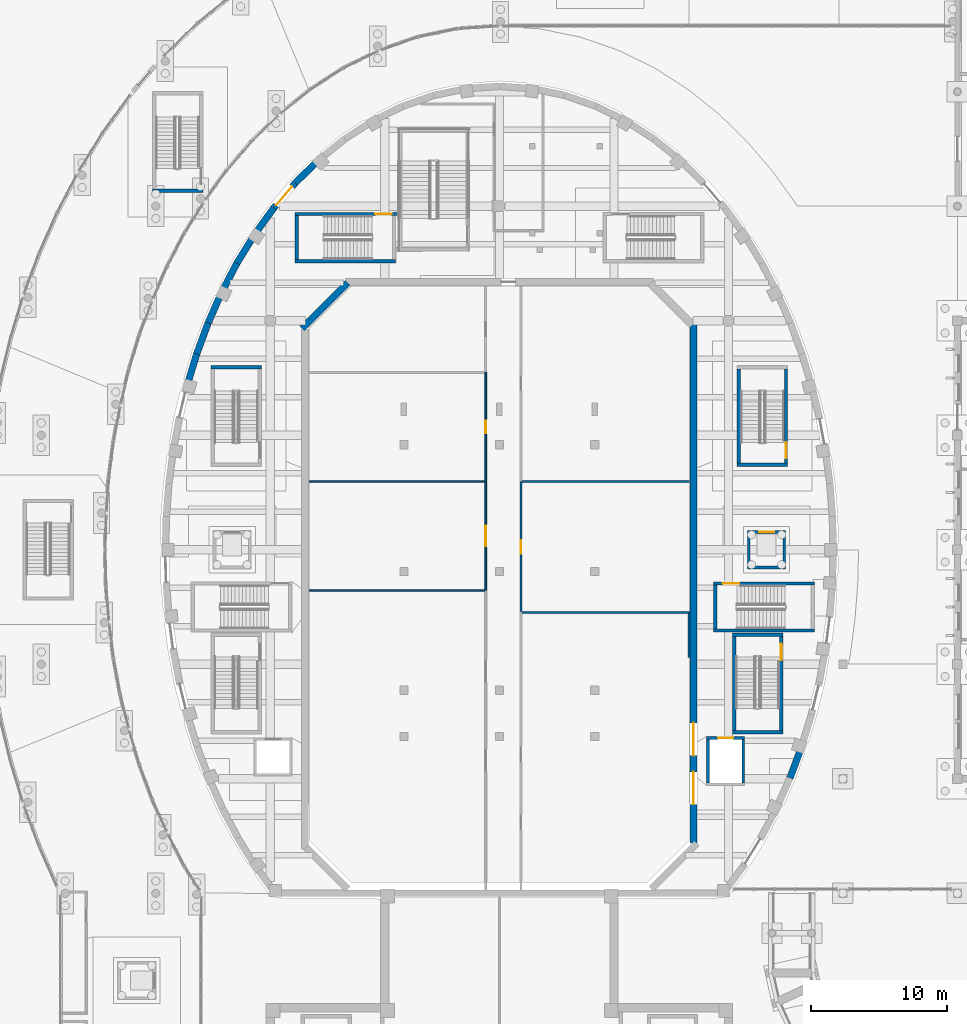
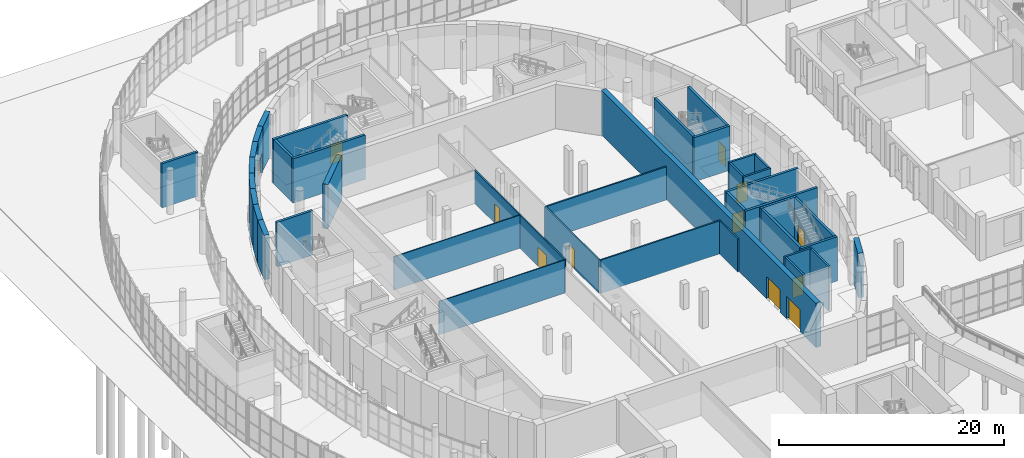
# One storey, part 63 of 110: 41 walls, 12 doors, 12 openings.
"""IFC4 building model written with IfcOpenShell, lengths in metres."""

from ifc_helpers import new_model, si_unit, direction, frame, frame_2d, origin, place, context, subcontext, project, spatial, rectangle, extrude, material, layer, layer_set, type_object, element, fill, save


model = new_model("IFC4")

# Units and contexts
model_context = context("Model", 3, precision=1e-05, world=origin(), true_north=direction((0.0, 1.0)))
body_context = subcontext(model_context, "Body", "Model", "MODEL_VIEW")
ifc_project = project(units=[si_unit("LENGTHUNIT", "METRE"), si_unit("AREAUNIT", "SQUARE_METRE"), si_unit("VOLUMEUNIT", "CUBIC_METRE"), si_unit("PLANEANGLEUNIT", "RADIAN"), si_unit("MASSUNIT", "GRAM", prefix="KILO")], contexts=[model_context])

# Site, building, storey
site_placement = place(None, origin())
site = spatial("IfcSite", under=ifc_project, at=site_placement, CompositionType="ELEMENT")
building_placement = place(site_placement, origin())
building = spatial("IfcBuilding", under=site, at=building_placement, Name="Larchfold Concert Hall", CompositionType="ELEMENT")
storey_placement = place(building_placement, origin())
storey = spatial("IfcBuildingStorey", under=building, at=storey_placement, Name="L00", CompositionType="ELEMENT", Elevation=0.0)

# Wall, opening, door
ifc_material_1 = material(Name="Plasterboard partition on steel studs", Category="steel")
ifc_layer_1 = layer(ifc_material_1, 0.125)
ifc_layer_set_1 = layer_set([ifc_layer_1], Name="Plasterboard partition on steel studs")
wall_type_1 = type_object("IfcWallType", Name="Corridor partition 125 EI 60", PredefinedType="PARTITIONING", material=ifc_layer_set_1)
wall_1_placement = place(storey_placement, frame((41.60009765625, 81.6201171875, 0.0), z_axis=(0.0, 0.0, 1.0), x_axis=(0.0, 1.0, 0.0)))
wall_1 = element("IfcWall", 1, at=wall_1_placement, inside=storey, type_object=wall_type_1, Name="Partition IW0006", PredefinedType="PARTITIONING", context=body_context, shape_type="SweptSolid", body=[
    extrude(rectangle(XDim=8.0, YDim=0.125, at=frame_2d((4.0, 0.0))), origin(), (0.0, 0.0, 1.0), 3.60009765625),
])
opening_1_placement = place(wall_1_placement, frame((3.22998046875, 0.0, 0.0)))
opening_1 = element("IfcOpeningElement", 2, at=opening_1_placement, cuts=wall_1, Name="Opening D-L00-106", PredefinedType="OPENING", context=body_context, shape_type="SweptSolid", body=[
    extrude(rectangle(XDim=1.5, YDim=2.10009765625, at=frame_2d((0.75, 1.050048828125))), frame((0.0, 0.072509765625, 0.0), z_axis=(0.0, -1.0, 0.0), x_axis=(1.0, 0.0, 0.0)), (0.0, 0.0, 1.0), 0.14501953125),
])
ifc_material_2 = material(Name="Timber door leaf", Category="wood")
door_type_1 = type_object("IfcDoorType", Name="Cafe, shop and cloakroom door pair 1500 x 2100 FD30S", OperationType="SINGLE_SWING_LEFT", PredefinedType="DOOR", material=ifc_material_2)
door_1_placement = place(opening_1_placement, origin())
door_1 = element("IfcDoor", 3, at=door_1_placement, inside=storey, type_object=door_type_1, Name="Door D-L00-106", OperationType="DOUBLE_DOOR_SINGLE_SWING", OverallHeight=2.10009765625, OverallWidth=1.5, PredefinedType="DOOR", context=body_context, shape_type="SweptSolid", body=[
    extrude(rectangle(XDim=1.5, YDim=2.10009765625, at=frame_2d((0.75, 1.050048828125))), frame((0.0, 0.02490234375, 0.0), z_axis=(0.0, -1.0, 0.0), x_axis=(1.0, 0.0, 0.0)), (0.0, 0.0, 1.0), 0.050048828125),
])
fill(opening_1, door_1)

wall_2_placement = place(storey_placement, frame((41.60009765625, 89.6201171875, 0.0), z_axis=(0.0, 0.0, 1.0), x_axis=(0.0, 1.0, 0.0)))
wall_2 = element("IfcWall", 4, at=wall_2_placement, inside=storey, type_object=wall_type_1, Name="Partition IW0007", PredefinedType="PARTITIONING", context=body_context, shape_type="SweptSolid", body=[
    extrude(rectangle(XDim=8.0, YDim=0.125, at=frame_2d((4.0, 0.0))), origin(), (0.0, 0.0, 1.0), 3.60009765625),
])
opening_2_placement = place(wall_2_placement, frame((3.530029296875, 0.0, 0.0)))
opening_2 = element("IfcOpeningElement", 5, at=opening_2_placement, cuts=wall_2, Name="Opening D-L00-107", PredefinedType="OPENING", context=body_context, shape_type="SweptSolid", body=[
    extrude(rectangle(XDim=0.89990234375, YDim=2.10009765625, at=frame_2d((0.449951171875, 1.050048828125))), frame((0.0, 0.072509765625, 0.0), z_axis=(0.0, -1.0, 0.0), x_axis=(1.0, 0.0, 0.0)), (0.0, 0.0, 1.0), 0.14501953125),
])
ifc_material_3 = material(Name="Timber door leaf", Category="wood")
door_type_2 = type_object("IfcDoorType", Name="Public toilet door 900 x 2100 FD30S", OperationType="SINGLE_SWING_LEFT", PredefinedType="DOOR", material=ifc_material_3)
door_2_placement = place(opening_2_placement, origin())
door_2 = element("IfcDoor", 6, at=door_2_placement, inside=storey, type_object=door_type_2, Name="Door D-L00-107", OperationType="SINGLE_SWING_RIGHT", OverallHeight=2.10009765625, OverallWidth=0.89990234375, PredefinedType="DOOR", context=body_context, shape_type="SweptSolid", body=[
    extrude(rectangle(XDim=0.89990234375, YDim=2.10009765625, at=frame_2d((0.449951171875, 1.050048828125))), frame((0.0, 0.02490234375, 0.0), z_axis=(0.0, -1.0, 0.0), x_axis=(1.0, 0.0, 0.0)), (0.0, 0.0, 1.0), 0.050048828125),
])
fill(opening_2, door_2)

# Walls
ifc_material_4 = material(Name="Plasterboard partition on steel studs", Category="steel")
ifc_layer_2 = layer(ifc_material_4, 0.14990234375)
ifc_layer_set_2 = layer_set([ifc_layer_2], Name="Plasterboard partition on steel studs")
wall_type_2 = type_object("IfcWallType", Name="Shaft and plant partition 150 EI 120", PredefinedType="PARTITIONING", material=ifc_layer_set_2)
wall_3_placement = place(storey_placement, frame((44.27490234375, 80.0, 0.0), z_axis=(0.0, 0.0, 1.0), x_axis=(1.0, 0.0, 0.0)))
element("IfcWall", 7, at=wall_3_placement, inside=storey, type_object=wall_type_2, Name="Partition IW0002", PredefinedType="PARTITIONING", context=body_context, shape_type="SweptSolid", body=[
    extrude(rectangle(XDim=12.300048828125, YDim=0.14990234375, at=frame_2d((6.14990234375, 0.0))), origin(), (0.0, 0.0, 1.0), 3.60009765625),
])
wall_4_placement = place(storey_placement, frame((56.5, 79.925048828125, 0.0), z_axis=(0.0, 0.0, 1.0), x_axis=(0.0, -1.0, 0.0)))
element("IfcWall", 8, at=wall_4_placement, inside=storey, type_object=wall_type_2, Name="Partition IW0003", PredefinedType="PARTITIONING", context=body_context, shape_type="SweptSolid", body=[
    extrude(rectangle(XDim=3.240966796875, YDim=0.14990234375, at=frame_2d((1.62060546875, 0.0))), origin(), (0.0, 0.0, 1.0), 3.60009765625),
])

# Wall, opening, door
wall_5_placement = place(storey_placement, frame((44.199951171875, 89.6201171875, 0.0), z_axis=(0.0, 0.0, 1.0), x_axis=(0.0, -1.0, 0.0)))
wall_5 = element("IfcWall", 9, at=wall_5_placement, inside=storey, type_object=wall_type_2, Name="Partition IW0005", PredefinedType="PARTITIONING", context=body_context, shape_type="SweptSolid", body=[
    extrude(rectangle(XDim=9.545166015625, YDim=0.14990234375, at=frame_2d((4.7724609375, 0.0))), origin(), (0.0, 0.0, 1.0), 3.60009765625),
])
opening_3_placement = place(wall_5_placement, frame((4.31005859375, 0.0, 0.0)))
opening_3 = element("IfcOpeningElement", 10, at=opening_3_placement, cuts=wall_5, Name="Opening D-L00-105", PredefinedType="OPENING", context=body_context, shape_type="SweptSolid", body=[
    extrude(rectangle(XDim=1.0, YDim=2.10009765625, at=frame_2d((0.5, 1.050048828125))), frame((0.0, 0.0849609375, 0.0), z_axis=(0.0, -1.0, 0.0), x_axis=(1.0, 0.0, 0.0)), (0.0, 0.0, 1.0), 0.169921875),
])
ifc_material_5 = material(Name="Timber door leaf", Category="wood")
door_type_3 = type_object("IfcDoorType", Name="Store door 1000 x 2100 FD60", OperationType="SINGLE_SWING_LEFT", PredefinedType="DOOR", material=ifc_material_5)
door_3_placement = place(opening_3_placement, origin())
door_3 = element("IfcDoor", 11, at=door_3_placement, inside=storey, type_object=door_type_3, Name="Door D-L00-105", OperationType="SINGLE_SWING_RIGHT", OverallHeight=2.10009765625, OverallWidth=1.0, PredefinedType="DOOR", context=body_context, shape_type="SweptSolid", body=[
    extrude(rectangle(XDim=1.0, YDim=2.10009765625, at=frame_2d((0.5, 1.050048828125))), frame((0.0, 0.02490234375, 0.0), z_axis=(0.0, -1.0, 0.0), x_axis=(1.0, 0.0, 0.0)), (0.0, 0.0, 1.0), 0.050048828125),
])
fill(opening_3, door_3)

# Walls
wall_6_placement = place(storey_placement, frame((44.27490234375, 89.60009765625, 0.0), z_axis=(0.0, 0.0, 1.0), x_axis=(1.0, 0.0, 0.0)))
element("IfcWall", 12, at=wall_6_placement, inside=storey, type_object=wall_type_2, Name="Partition IW0011", PredefinedType="PARTITIONING", context=body_context, shape_type="SweptSolid", body=[
    extrude(rectangle(XDim=12.275146484375, YDim=0.14990234375, at=frame_2d((6.1376953125, 0.0))), origin(), (0.0, 0.0, 1.0), 3.60009765625),
])
ifc_material_6 = material(Name="Plasterboard partition on steel studs", Category="steel")
ifc_layer_3 = layer(ifc_material_6, 0.10009765625)
ifc_layer_set_3 = layer_set([ifc_layer_3], Name="Plasterboard partition on steel studs")
wall_type_3 = type_object("IfcWallType", Name="Stud partition 100", PredefinedType="PARTITIONING", material=ifc_layer_set_3)
for number, where, z_axis, x_axis, name in (
    (13, (28.64990234375, 81.60302734375, 0.0), (0.0, 0.0, 1.0), (0.999999974151, -0.000227371766, 0.0), "Partition IW0010"),
    (14, (28.64990234375, 89.60009765625, 0.0), (0.0, 0.0, 1.0), (1.0, 0.0, 0.0), "Partition IW0012"),
):
    element("IfcWall", number, at=place(storey_placement, frame(where, z_axis=z_axis, x_axis=x_axis)), inside=storey, type_object=wall_type_3, Name=name, PredefinedType="PARTITIONING", context=body_context, shape_type="SweptSolid", body=[
        extrude(rectangle(XDim=12.885009765625, YDim=0.10009765625, at=frame_2d((6.4423828125, 0.0))), origin(), (0.0, 0.0, 1.0), 3.60009765625),
    ])

# Wall, opening, door
ifc_material_7 = material(Name="Concrete C40/50", Category="concrete")
ifc_layer_4 = layer(ifc_material_7, 0.199951171875)
ifc_layer_set_4 = layer_set([ifc_layer_4], Name="Concrete C40/50")
wall_type_4 = type_object("IfcWallType", Name="Wall RC 200 lift shaft", PredefinedType="SOLIDWALL", material=ifc_layer_set_4)
wall_7_placement = place(storey_placement, frame((57.800048828125, 70.7998046875, 0.0), z_axis=(0.0, 0.0, 1.0), x_axis=(1.0, 0.0, 0.0)))
wall_7 = element("IfcWall", 15, at=wall_7_placement, inside=storey, type_object=wall_type_4, Name="Wall W0142", PredefinedType="SOLIDWALL", context=body_context, shape_type="SweptSolid", body=[
    extrude(rectangle(XDim=2.800048828125, YDim=0.199951171875, at=frame_2d((1.39990234375, 0.0))), origin(), (0.0, 0.0, 1.0), 4.800048828125),
])
opening_4_placement = place(wall_7_placement, frame((0.85009765625, 0.0, 0.0)))
opening_4 = element("IfcOpeningElement", 16, at=opening_4_placement, cuts=wall_7, Name="Opening LD-LF01", PredefinedType="OPENING", context=body_context, shape_type="SweptSolid", body=[
    extrude(rectangle(XDim=1.10009765625, YDim=2.10009765625, at=frame_2d((0.550048828125, 1.050048828125))), frame((0.0, 0.10986328125, 0.0), z_axis=(0.0, -1.0, 0.0), x_axis=(1.0, 0.0, 0.0)), (0.0, 0.0, 1.0), 0.219970703125),
])
ifc_material_8 = material(Name="Stainless steel sliding leaves", Category="steel")
door_type_4 = type_object("IfcDoorType", Name="Lift landing door sliding 1100 x 2100", OperationType="SLIDING_TO_LEFT", PredefinedType="DOOR", material=ifc_material_8)
door_4_placement = place(opening_4_placement, origin())
door_4 = element("IfcDoor", 17, at=door_4_placement, inside=storey, type_object=door_type_4, Name="Lift landing door LF01", OperationType="SLIDING_TO_LEFT", OverallHeight=2.10009765625, OverallWidth=1.10009765625, PredefinedType="DOOR", context=body_context, shape_type="SweptSolid", body=[
    extrude(rectangle(XDim=1.10009765625, YDim=2.10009765625, at=frame_2d((0.550048828125, 1.050048828125))), frame((0.0, 0.02490234375, 0.0), z_axis=(0.0, -1.0, 0.0), x_axis=(1.0, 0.0, 0.0)), (0.0, 0.0, 1.0), 0.050048828125),
])
fill(opening_4, door_4)

# Walls
for number, where, z_axis, x_axis, name in (
    (18, (57.900146484375, 67.5, 0.0), (0.0, 0.0, 1.0), (0.0, 1.0, 0.0), "Wall W0143"),
    (19, (60.5, 67.5, 0.0), (0.0, 0.0, 1.0), (0.0, 1.0, 0.0), "Wall W0144"),
):
    element("IfcWall", number, at=place(storey_placement, frame(where, z_axis=z_axis, x_axis=x_axis)), inside=storey, type_object=wall_type_4, Name=name, PredefinedType="SOLIDWALL", context=body_context, shape_type="SweptSolid", body=[
        extrude(rectangle(XDim=3.199951171875, YDim=0.199951171875, at=frame_2d((1.60009765625, 0.0))), origin(), (0.0, 0.0, 1.0), 4.800048828125),
    ])
wall_8_placement = place(storey_placement, frame((60.800048828125, 83.300048828125, -1.39990234375), z_axis=(0.0, 0.0, 1.0), x_axis=(1.0, 0.0, 0.0)))
element("IfcWall", 20, at=wall_8_placement, inside=storey, type_object=wall_type_4, Name="Wall W0149", PredefinedType="SOLIDWALL", context=body_context, shape_type="SweptSolid", body=[
    extrude(rectangle(XDim=2.800048828125, YDim=0.199951171875, at=frame_2d((1.39990234375, 0.0))), origin(), (0.0, 0.0, 1.0), 6.199951171875),
])

# Wall, opening, door
wall_9_placement = place(storey_placement, frame((60.800048828125, 85.89990234375, -1.39990234375), z_axis=(0.0, 0.0, 1.0), x_axis=(1.0, 0.0, 0.0)))
wall_9 = element("IfcWall", 21, at=wall_9_placement, inside=storey, type_object=wall_type_4, Name="Wall W0150", PredefinedType="SOLIDWALL", context=body_context, shape_type="SweptSolid", body=[
    extrude(rectangle(XDim=2.800048828125, YDim=0.199951171875, at=frame_2d((1.39990234375, 0.0))), origin(), (0.0, 0.0, 1.0), 6.199951171875),
])
opening_5_placement = place(wall_9_placement, frame((0.85009765625, 0.0, 1.39990234375)))
opening_5 = element("IfcOpeningElement", 22, at=opening_5_placement, cuts=wall_9, Name="Opening LD-LF03", PredefinedType="OPENING", context=body_context, shape_type="SweptSolid", body=[
    extrude(rectangle(XDim=1.10009765625, YDim=2.10009765625, at=frame_2d((0.550048828125, 1.050048828125))), frame((0.0, 0.10986328125, 0.0), z_axis=(0.0, -1.0, 0.0), x_axis=(1.0, 0.0, 0.0)), (0.0, 0.0, 1.0), 0.219970703125),
])
door_5_placement = place(opening_5_placement, origin())
door_5 = element("IfcDoor", 23, at=door_5_placement, inside=storey, type_object=door_type_4, Name="Lift landing door LF03", OperationType="SLIDING_TO_LEFT", OverallHeight=2.10009765625, OverallWidth=1.10009765625, PredefinedType="DOOR", context=body_context, shape_type="SweptSolid", body=[
    extrude(rectangle(XDim=1.10009765625, YDim=2.10009765625, at=frame_2d((0.550048828125, 1.050048828125))), frame((0.0, 0.02490234375, 0.0), z_axis=(0.0, -1.0, 0.0), x_axis=(1.0, 0.0, 0.0)), (0.0, 0.0, 1.0), 0.050048828125),
])
fill(opening_5, door_5)

# Walls
for number, where, z_axis, x_axis, name in (
    (24, (60.900146484375, 83.39990234375, -1.39990234375), (0.0, 0.0, 1.0), (0.0, 1.0, 0.0), "Wall W0151"),
    (25, (63.5, 83.39990234375, -1.39990234375), (0.0, 0.0, 1.0), (0.0, 1.0, 0.0), "Wall W0152"),
):
    element("IfcWall", number, at=place(storey_placement, frame(where, z_axis=z_axis, x_axis=x_axis)), inside=storey, type_object=wall_type_4, Name=name, PredefinedType="SOLIDWALL", context=body_context, shape_type="SweptSolid", body=[
        extrude(rectangle(XDim=2.400146484375, YDim=0.199951171875, at=frame_2d((1.2001953125, 0.0))), origin(), (0.0, 0.0, 1.0), 6.199951171875),
    ])
ifc_material_9 = material(Name="Concrete C40/50", Category="concrete")
ifc_layer_5 = layer(ifc_material_9, 0.25)
ifc_layer_set_5 = layer_set([ifc_layer_5], Name="Concrete C40/50")
wall_type_5 = type_object("IfcWallType", Name="Wall RC 250 stair core", PredefinedType="SOLIDWALL", material=ifc_layer_set_5)
wall_10_placement = place(storey_placement, frame((60.050048828125, 90.824951171875, 0.0), z_axis=(0.0, 0.0, 1.0), x_axis=(1.0, 0.0, 0.0)))
element("IfcWall", 26, at=wall_10_placement, inside=storey, type_object=wall_type_5, Name="Wall W0033", PredefinedType="SOLIDWALL", context=body_context, shape_type="SweptSolid", body=[
    extrude(rectangle(XDim=3.699951171875, YDim=0.25, at=frame_2d((1.85009765625, 0.0))), origin(), (0.0, 0.0, 1.0), 4.800048828125),
])
wall_11_placement = place(storey_placement, frame((60.175048828125, 90.949951171875, 0.0), z_axis=(0.0, 0.0, 1.0), x_axis=(0.0, 1.0, 0.0)))
element("IfcWall", 27, at=wall_11_placement, inside=storey, type_object=wall_type_5, Name="Wall W0035", PredefinedType="SOLIDWALL", context=body_context, shape_type="SweptSolid", body=[
    extrude(rectangle(XDim=6.900146484375, YDim=0.25, at=frame_2d((3.4501953125, 0.0))), origin(), (0.0, 0.0, 1.0), 4.800048828125),
])

# Wall, opening, door
wall_12_placement = place(storey_placement, frame((63.625, 90.949951171875, 0.0), z_axis=(0.0, 0.0, 1.0), x_axis=(0.0, 1.0, 0.0)))
wall_12 = element("IfcWall", 28, at=wall_12_placement, inside=storey, type_object=wall_type_5, Name="Wall W0036", PredefinedType="SOLIDWALL", context=body_context, shape_type="SweptSolid", body=[
    extrude(rectangle(XDim=6.900146484375, YDim=0.25, at=frame_2d((3.4501953125, 0.0))), origin(), (0.0, 0.0, 1.0), 4.800048828125),
])
opening_6_placement = place(wall_12_placement, frame((0.35009765625, 0.0, 0.0)))
opening_6 = element("IfcOpeningElement", 29, at=opening_6_placement, cuts=wall_12, Name="Opening D-L00-158", PredefinedType="OPENING", context=body_context, shape_type="SweptSolid", body=[
    extrude(rectangle(XDim=1.199951171875, YDim=2.10009765625, at=frame_2d((0.60009765625, 1.050048828125))), frame((0.0, 0.135009765625, 0.0), z_axis=(0.0, -1.0, 0.0), x_axis=(1.0, 0.0, 0.0)), (0.0, 0.0, 1.0), 0.27001953125),
])
ifc_material_10 = material(Name="Timber door leaf", Category="wood")
door_type_5 = type_object("IfcDoorType", Name="Stair enclosure door pair 1200 x 2100 FD60", OperationType="SINGLE_SWING_LEFT", PredefinedType="DOOR", material=ifc_material_10)
door_6_placement = place(opening_6_placement, origin())
door_6 = element("IfcDoor", 30, at=door_6_placement, inside=storey, type_object=door_type_5, Name="Door D-L00-158", OperationType="DOUBLE_DOOR_SINGLE_SWING", OverallHeight=2.10009765625, OverallWidth=1.199951171875, PredefinedType="DOOR", context=body_context, shape_type="SweptSolid", body=[
    extrude(rectangle(XDim=1.199951171875, YDim=2.10009765625, at=frame_2d((0.60009765625, 1.050048828125))), frame((0.0, 0.02490234375, 0.0), z_axis=(0.0, -1.0, 0.0), x_axis=(1.0, 0.0, 0.0)), (0.0, 0.0, 1.0), 0.050048828125),
])
fill(opening_6, door_6)

# Wall
wall_13_placement = place(storey_placement, frame((27.60009765625, 105.77490234375, 0.0), z_axis=(0.0, 0.0, 1.0), x_axis=(1.0, 0.0, 0.0)))
element("IfcWall", 31, at=wall_13_placement, inside=storey, type_object=wall_type_5, Name="Wall W0041", PredefinedType="SOLIDWALL", context=body_context, shape_type="SweptSolid", body=[
    extrude(rectangle(XDim=7.39990234375, YDim=0.25, at=frame_2d((3.699951171875, 0.0))), origin(), (0.0, 0.0, 1.0), 4.800048828125),
])

# Wall, opening, door
wall_14_placement = place(storey_placement, frame((27.60009765625, 109.22509765625, 0.0), z_axis=(0.0, 0.0, 1.0), x_axis=(1.0, 0.0, 0.0)))
wall_14 = element("IfcWall", 32, at=wall_14_placement, inside=storey, type_object=wall_type_5, Name="Wall W0042", PredefinedType="SOLIDWALL", context=body_context, shape_type="SweptSolid", body=[
    extrude(rectangle(XDim=7.599853515625, YDim=0.25, at=frame_2d((3.7998046875, 0.0))), origin(), (0.0, 0.0, 1.0), 4.800048828125),
])
opening_7_placement = place(wall_14_placement, frame((5.900146484375, 0.0, 0.0)))
opening_7 = element("IfcOpeningElement", 33, at=opening_7_placement, cuts=wall_14, Name="Opening D-L00-159", PredefinedType="OPENING", context=body_context, shape_type="SweptSolid", body=[
    extrude(rectangle(XDim=1.199951171875, YDim=2.10009765625, at=frame_2d((0.60009765625, 1.050048828125))), frame((0.0, 0.135009765625, 0.0), z_axis=(0.0, -1.0, 0.0), x_axis=(1.0, 0.0, 0.0)), (0.0, 0.0, 1.0), 0.27001953125),
])
door_7_placement = place(opening_7_placement, origin())
door_7 = element("IfcDoor", 34, at=door_7_placement, inside=storey, type_object=door_type_5, Name="Door D-L00-159", OperationType="DOUBLE_DOOR_SINGLE_SWING", OverallHeight=2.10009765625, OverallWidth=1.199951171875, PredefinedType="DOOR", context=body_context, shape_type="SweptSolid", body=[
    extrude(rectangle(XDim=1.199951171875, YDim=2.10009765625, at=frame_2d((0.60009765625, 1.050048828125))), frame((0.0, 0.02490234375, 0.0), z_axis=(0.0, -1.0, 0.0), x_axis=(1.0, 0.0, 0.0)), (0.0, 0.0, 1.0), 0.050048828125),
])
fill(opening_7, door_7)

# Walls
wall_15_placement = place(storey_placement, frame((27.72509765625, 105.89990234375, 0.0), z_axis=(0.0, 0.0, 1.0), x_axis=(0.0, 1.0, 0.0)))
element("IfcWall", 35, at=wall_15_placement, inside=storey, type_object=wall_type_5, Name="Wall W0043", PredefinedType="SOLIDWALL", context=body_context, shape_type="SweptSolid", body=[
    extrude(rectangle(XDim=3.2001953125, YDim=0.25, at=frame_2d((1.60009765625, 0.0))), origin(), (0.0, 0.0, 1.0), 4.800048828125),
])
for number, where, z_axis, x_axis, name in (
    (36, (21.449951171875, 97.97509765625, 0.0), (0.0, 0.0, 1.0), (1.0, 0.0, 0.0), "Wall W0046"),
    (37, (59.699951171875, 71.22509765625, 0.0), (0.0, 0.0, 1.0), (1.0, 0.0, 0.0), "Wall W0053"),
    (38, (59.699951171875, 78.375, 0.0), (0.0, 0.0, 1.0), (1.0, 0.0, 0.0), "Wall W0054"),
):
    element("IfcWall", number, at=place(storey_placement, frame(where, z_axis=z_axis, x_axis=x_axis)), inside=storey, type_object=wall_type_5, Name=name, PredefinedType="SOLIDWALL", context=body_context, shape_type="SweptSolid", body=[
        extrude(rectangle(XDim=3.699951171875, YDim=0.25, at=frame_2d((1.85009765625, 0.0))), origin(), (0.0, 0.0, 1.0), 4.800048828125),
    ])
wall_16_placement = place(storey_placement, frame((59.824951171875, 71.35009765625, 0.0), z_axis=(0.0, 0.0, 1.0), x_axis=(0.0, 1.0, 0.0)))
element("IfcWall", 39, at=wall_16_placement, inside=storey, type_object=wall_type_5, Name="Wall W0055", PredefinedType="SOLIDWALL", context=body_context, shape_type="SweptSolid", body=[
    extrude(rectangle(XDim=6.89990234375, YDim=0.25, at=frame_2d((3.449951171875, 0.0))), origin(), (0.0, 0.0, 1.0), 4.800048828125),
])

# Wall, opening, door
wall_17_placement = place(storey_placement, frame((63.27490234375, 71.35009765625, 0.0), z_axis=(0.0, 0.0, 1.0), x_axis=(0.0, 1.0, 0.0)))
wall_17 = element("IfcWall", 40, at=wall_17_placement, inside=storey, type_object=wall_type_5, Name="Wall W0056", PredefinedType="SOLIDWALL", context=body_context, shape_type="SweptSolid", body=[
    extrude(rectangle(XDim=6.89990234375, YDim=0.25, at=frame_2d((3.449951171875, 0.0))), origin(), (0.0, 0.0, 1.0), 4.800048828125),
])
opening_8_placement = place(wall_17_placement, frame((5.14990234375, 0.0, 0.0)))
opening_8 = element("IfcOpeningElement", 41, at=opening_8_placement, cuts=wall_17, Name="Opening D-L00-154", PredefinedType="OPENING", context=body_context, shape_type="SweptSolid", body=[
    extrude(rectangle(XDim=1.199951171875, YDim=2.10009765625, at=frame_2d((0.60009765625, 1.050048828125))), frame((0.0, 0.135009765625, 0.0), z_axis=(0.0, -1.0, 0.0), x_axis=(1.0, 0.0, 0.0)), (0.0, 0.0, 1.0), 0.27001953125),
])
door_8_placement = place(opening_8_placement, origin())
door_8 = element("IfcDoor", 42, at=door_8_placement, inside=storey, type_object=door_type_5, Name="Door D-L00-154", OperationType="DOUBLE_DOOR_SINGLE_SWING", OverallHeight=2.10009765625, OverallWidth=1.199951171875, PredefinedType="DOOR", context=body_context, shape_type="SweptSolid", body=[
    extrude(rectangle(XDim=1.199951171875, YDim=2.10009765625, at=frame_2d((0.60009765625, 1.050048828125))), frame((0.0, 0.02490234375, 0.0), z_axis=(0.0, -1.0, 0.0), x_axis=(1.0, 0.0, 0.0)), (0.0, 0.0, 1.0), 0.050048828125),
])
fill(opening_8, door_8)

# Wall
wall_18_placement = place(storey_placement, frame((58.300048828125, 78.675048828125, 0.0), z_axis=(0.0, 0.0, 1.0), x_axis=(1.0, 0.0, 0.0)))
element("IfcWall", 43, at=wall_18_placement, inside=storey, type_object=wall_type_5, Name="Wall W0061", PredefinedType="SOLIDWALL", context=body_context, shape_type="SweptSolid", body=[
    extrude(rectangle(XDim=7.39990234375, YDim=0.25, at=frame_2d((3.699951171875, 0.0))), origin(), (0.0, 0.0, 1.0), 4.800048828125),
])

# Wall, opening, door
wall_19_placement = place(storey_placement, frame((58.300048828125, 82.125, 0.0), z_axis=(0.0, 0.0, 1.0), x_axis=(1.0, 0.0, 0.0)))
wall_19 = element("IfcWall", 44, at=wall_19_placement, inside=storey, type_object=wall_type_5, Name="Wall W0062", PredefinedType="SOLIDWALL", context=body_context, shape_type="SweptSolid", body=[
    extrude(rectangle(XDim=7.39990234375, YDim=0.25, at=frame_2d((3.699951171875, 0.0))), origin(), (0.0, 0.0, 1.0), 4.800048828125),
])
opening_9_placement = place(wall_19_placement, frame((0.699951171875, 0.0, 0.0)))
opening_9 = element("IfcOpeningElement", 45, at=opening_9_placement, cuts=wall_19, Name="Opening D-L00-156", PredefinedType="OPENING", context=body_context, shape_type="SweptSolid", body=[
    extrude(rectangle(XDim=1.199951171875, YDim=2.10009765625, at=frame_2d((0.60009765625, 1.050048828125))), frame((0.0, 0.135009765625, 0.0), z_axis=(0.0, -1.0, 0.0), x_axis=(1.0, 0.0, 0.0)), (0.0, 0.0, 1.0), 0.27001953125),
])
door_9_placement = place(opening_9_placement, origin())
door_9 = element("IfcDoor", 46, at=door_9_placement, inside=storey, type_object=door_type_5, Name="Door D-L00-156", OperationType="DOUBLE_DOOR_SINGLE_SWING", OverallHeight=2.10009765625, OverallWidth=1.199951171875, PredefinedType="DOOR", context=body_context, shape_type="SweptSolid", body=[
    extrude(rectangle(XDim=1.199951171875, YDim=2.10009765625, at=frame_2d((0.60009765625, 1.050048828125))), frame((0.0, 0.02490234375, 0.0), z_axis=(0.0, -1.0, 0.0), x_axis=(1.0, 0.0, 0.0)), (0.0, 0.0, 1.0), 0.050048828125),
])
fill(opening_9, door_9)

# Walls
wall_20_placement = place(storey_placement, frame((58.425048828125, 78.800048828125, 0.0), z_axis=(0.0, 0.0, 1.0), x_axis=(0.0, 1.0, 0.0)))
element("IfcWall", 47, at=wall_20_placement, inside=storey, type_object=wall_type_5, Name="Wall W0063", PredefinedType="SOLIDWALL", context=body_context, shape_type="SweptSolid", body=[
    extrude(rectangle(XDim=3.199951171875, YDim=0.25, at=frame_2d((1.60009765625, 0.0))), origin(), (0.0, 0.0, 1.0), 4.800048828125),
])
wall_21_placement = place(storey_placement, frame((17.14990234375, 110.925048828125, 0.0), z_axis=(0.0, 0.0, 1.0), x_axis=(1.0, 0.0, 0.0)))
element("IfcWall", 48, at=wall_21_placement, inside=storey, type_object=wall_type_5, Name="Wall W0129", PredefinedType="SOLIDWALL", context=body_context, shape_type="SweptSolid", body=[
    extrude(rectangle(XDim=3.7001953125, YDim=0.25, at=frame_2d((1.85009765625, 0.0))), origin(), (0.0, 0.0, 1.0), 4.800048828125),
])
ifc_material_11 = material(Name="Concrete C30/37", Category="concrete")
ifc_layer_6 = layer(ifc_material_11, 0.5)
ifc_layer_set_6 = layer_set([ifc_layer_6], Name="Concrete C30/37")
wall_type_6 = type_object("IfcWallType", Name="Wall RC 500 drum facade", PredefinedType="SOLIDWALL", material=ifc_layer_set_6)
wall_22_placement = place(storey_placement, frame((29.37255859375, 113.218994140625, 0.0), z_axis=(0.0, 0.0, 1.0), x_axis=(-0.71498883591, -0.69913586986, 0.0)))
element("IfcWall", 49, at=wall_22_placement, inside=storey, type_object=wall_type_6, Name="Wall DW026", PredefinedType="SOLIDWALL", context=body_context, shape_type="SweptSolid", body=[
    extrude(rectangle(XDim=2.433349609375, YDim=0.5, at=frame_2d((1.216796875, 0.0))), origin(), (0.0, 0.0, 1.0), 4.800048828125),
])

# Wall, opening, door
wall_23_placement = place(storey_placement, frame((27.6328125, 111.517822265625, 0.0), z_axis=(0.0, 0.0, 1.0), x_axis=(-0.650526940133, -0.759483179643, 0.0)))
wall_23 = element("IfcWall", 50, at=wall_23_placement, inside=storey, type_object=wall_type_6, Name="Wall DW027", PredefinedType="SOLIDWALL", context=body_context, shape_type="SweptSolid", body=[
    extrude(rectangle(XDim=2.433349609375, YDim=0.5, at=frame_2d((1.216796875, 0.0))), origin(), (0.0, 0.0, 1.0), 4.800048828125),
])
opening_10_placement = place(wall_23_placement, frame((2.165771484375, 0.0, 0.0), z_axis=(0.0, 0.0, 1.0), x_axis=(-1.0, 0.0, 0.0)))
opening_10 = element("IfcOpeningElement", 51, at=opening_10_placement, cuts=wall_23, Name="Opening D-L00-203", PredefinedType="OPENING", context=body_context, shape_type="SweptSolid", body=[
    extrude(rectangle(XDim=1.800048828125, YDim=2.10009765625, at=frame_2d((0.89990234375, 1.050048828125))), frame((0.0, 0.260009765625, 0.0), z_axis=(0.0, -1.0, 0.0), x_axis=(1.0, 0.0, 0.0)), (0.0, 0.0, 1.0), 0.52001953125),
])
ifc_material_12 = material(Name="Anodised graphite aluminium door leaf", Category="aluminium")
door_type_6 = type_object("IfcDoorType", Name="Exit door double 1800x2100", OperationType="DOUBLE_DOOR_SINGLE_SWING", PredefinedType="DOOR", material=ifc_material_12)
door_10_placement = place(opening_10_placement, origin())
door_10 = element("IfcDoor", 52, at=door_10_placement, inside=storey, type_object=door_type_6, Name="Door D-L00-203", OperationType="DOUBLE_DOOR_SINGLE_SWING", OverallHeight=2.10009765625, OverallWidth=1.800048828125, PredefinedType="DOOR", context=body_context, shape_type="SweptSolid", body=[
    extrude(rectangle(XDim=1.800048828125, YDim=2.10009765625, at=frame_2d((0.89990234375, 1.050048828125))), frame((0.0, 0.02490234375, 0.0), z_axis=(0.0, -1.0, 0.0), x_axis=(1.0, 0.0, 0.0)), (0.0, 0.0, 1.0), 0.050048828125),
])
fill(opening_10, door_10)

# Walls
wall_24_placement = place(storey_placement, frame((26.0498046875, 109.669677734375, 0.0), z_axis=(0.0, 0.0, 1.0), x_axis=(-0.586643688245, -0.809845159918, 0.0)))
element("IfcWall", 53, at=wall_24_placement, inside=storey, type_object=wall_type_6, Name="Wall DW028", PredefinedType="SOLIDWALL", context=body_context, shape_type="SweptSolid", body=[
    extrude(rectangle(XDim=2.433837890625, YDim=0.5, at=frame_2d((1.216796875, 0.0))), origin(), (0.0, 0.0, 1.0), 4.800048828125),
])
wall_25_placement = place(storey_placement, frame((24.6220703125, 107.69873046875, 0.0), z_axis=(0.0, 0.0, 1.0), x_axis=(-0.524097425664, -0.851658316705, 0.0)))
element("IfcWall", 54, at=wall_25_placement, inside=storey, type_object=wall_type_6, Name="Wall DW029", PredefinedType="SOLIDWALL", context=body_context, shape_type="SweptSolid", body=[
    extrude(rectangle(XDim=2.43359375, YDim=0.5, at=frame_2d((1.216796875, 0.0))), origin(), (0.0, 0.0, 1.0), 4.800048828125),
])
wall_26_placement = place(storey_placement, frame((23.3466796875, 105.626220703125, 0.0), z_axis=(0.0, 0.0, 1.0), x_axis=(-0.463152141842, -0.886278789945, 0.0)))
element("IfcWall", 55, at=wall_26_placement, inside=storey, type_object=wall_type_6, Name="Wall DW030", PredefinedType="SOLIDWALL", context=body_context, shape_type="SweptSolid", body=[
    extrude(rectangle(XDim=2.433837890625, YDim=0.5, at=frame_2d((1.216796875, 0.0))), origin(), (0.0, 0.0, 1.0), 4.800048828125),
])
wall_27_placement = place(storey_placement, frame((22.219482421875, 103.46923828125, 0.0), z_axis=(0.0, 0.0, 1.0), x_axis=(-0.404089673612, -0.914719375371, 0.0)))
element("IfcWall", 56, at=wall_27_placement, inside=storey, type_object=wall_type_6, Name="Wall DW031", PredefinedType="SOLIDWALL", context=body_context, shape_type="SweptSolid", body=[
    extrude(rectangle(XDim=2.43359375, YDim=0.5, at=frame_2d((1.216796875, 0.0))), origin(), (0.0, 0.0, 1.0), 4.800048828125),
])
for number, where, z_axis, x_axis, name in (
    (57, (21.236083984375, 101.2431640625, 0.0), (0.0, 0.0, 1.0), (-0.346579149604, -0.938020731679, 0.0), "Wall DW032"),
    (58, (20.392578125, 98.960205078125, 0.0), (0.0, 0.0, 1.0), (-0.290594767559, -0.956846215997, 0.0), "Wall DW033"),
):
    element("IfcWall", number, at=place(storey_placement, frame(where, z_axis=z_axis, x_axis=x_axis)), inside=storey, type_object=wall_type_6, Name=name, PredefinedType="SOLIDWALL", context=body_context, shape_type="SweptSolid", body=[
        extrude(rectangle(XDim=2.433837890625, YDim=0.5, at=frame_2d((1.216796875, 0.0))), origin(), (0.0, 0.0, 1.0), 4.800048828125),
    ])
wall_28_placement = place(storey_placement, frame((63.92431640625, 67.85888671875, 0.0), z_axis=(0.0, 0.0, 1.0), x_axis=(0.348817204426, 0.937190779882, 0.0)))
element("IfcWall", 59, at=wall_28_placement, inside=storey, type_object=wall_type_6, Name="Wall DW055", PredefinedType="SOLIDWALL", context=body_context, shape_type="SweptSolid", body=[
    extrude(rectangle(XDim=2.448974609375, YDim=0.5, at=frame_2d((1.224609375, 0.0))), origin(), (0.0, 0.0, 1.0), 4.800048828125),
])

# Wall, openings, doors
ifc_material_13 = material(Name="Concrete C40/50", Category="concrete")
ifc_layer_7 = layer(ifc_material_13, 0.5)
ifc_layer_set_7 = layer_set([ifc_layer_7], Name="Concrete C40/50")
wall_type_7 = type_object("IfcWallType", Name="Wall RC 500 hall shell", PredefinedType="SOLIDWALL", material=ifc_layer_set_7)
wall_29_placement = place(storey_placement, frame((56.85009765625, 63.10009765625, 0.0), z_axis=(0.0, 0.0, 1.0), x_axis=(0.0, 1.0, 0.0)))
wall_29 = element("IfcWall", 60, at=wall_29_placement, inside=storey, type_object=wall_type_7, Name="Wall W0002", PredefinedType="SOLIDWALL", context=body_context, shape_type="SweptSolid", body=[
    extrude(rectangle(XDim=38.151123046875, YDim=0.5, at=frame_2d((19.07568359375, 0.0))), origin(), (0.0, 0.0, 1.0), 4.800048828125),
])
opening_11_placement = place(wall_29_placement, frame((2.814208984375, 0.0, 0.0)))
opening_11 = element("IfcOpeningElement", 61, at=opening_11_placement, cuts=wall_29, Name="Opening D-L00-210", PredefinedType="OPENING", context=body_context, shape_type="SweptSolid", body=[
    extrude(rectangle(XDim=2.39990234375, YDim=2.39990234375, at=frame_2d((1.199951171875, 1.199951171875))), frame((0.0, 0.260009765625, 0.0), z_axis=(0.0, -1.0, 0.0), x_axis=(1.0, 0.0, 0.0)), (0.0, 0.0, 1.0), 0.52001953125),
])
opening_12_placement = place(wall_29_placement, frame((6.40234375, 0.0, 0.0)))
opening_12 = element("IfcOpeningElement", 62, at=opening_12_placement, cuts=wall_29, Name="Opening D-L00-211", PredefinedType="OPENING", context=body_context, shape_type="SweptSolid", body=[
    extrude(rectangle(XDim=2.39990234375, YDim=2.39990234375, at=frame_2d((1.199951171875, 1.199951171875))), frame((0.0, 0.260009765625, 0.0), z_axis=(0.0, -1.0, 0.0), x_axis=(1.0, 0.0, 0.0)), (0.0, 0.0, 1.0), 0.52001953125),
])
ifc_material_14 = material(Name="Anodised graphite aluminium door leaf", Category="aluminium")
door_type_7 = type_object("IfcDoorType", Name="Entrance door double 2400x2400", OperationType="DOUBLE_DOOR_SINGLE_SWING", PredefinedType="DOOR", material=ifc_material_14)
door_11_placement = place(opening_11_placement, origin())
door_11 = element("IfcDoor", 63, at=door_11_placement, inside=storey, type_object=door_type_7, Name="Door D-L00-210", OperationType="DOUBLE_DOOR_SINGLE_SWING", OverallHeight=2.39990234375, OverallWidth=2.39990234375, PredefinedType="DOOR", context=body_context, shape_type="SweptSolid", body=[
    extrude(rectangle(XDim=2.39990234375, YDim=2.39990234375, at=frame_2d((1.199951171875, 1.199951171875))), frame((0.0, 0.02490234375, 0.0), z_axis=(0.0, -1.0, 0.0), x_axis=(1.0, 0.0, 0.0)), (0.0, 0.0, 1.0), 0.050048828125),
])
fill(opening_11, door_11)
door_12_placement = place(opening_12_placement, origin())
door_12 = element("IfcDoor", 64, at=door_12_placement, inside=storey, type_object=door_type_7, Name="Door D-L00-211", OperationType="DOUBLE_DOOR_SINGLE_SWING", OverallHeight=2.39990234375, OverallWidth=2.39990234375, PredefinedType="DOOR", context=body_context, shape_type="SweptSolid", body=[
    extrude(rectangle(XDim=2.39990234375, YDim=2.39990234375, at=frame_2d((1.199951171875, 1.199951171875))), frame((0.0, 0.02490234375, 0.0), z_axis=(0.0, -1.0, 0.0), x_axis=(1.0, 0.0, 0.0)), (0.0, 0.0, 1.0), 0.050048828125),
])
fill(opening_12, door_12)

# Wall
wall_30_placement = place(storey_placement, frame((31.477294921875, 104.17724609375, 0.0), z_axis=(0.0, 0.0, 1.0), x_axis=(-0.707106781187, -0.707106781187, 0.0)))
element("IfcWall", 65, at=wall_30_placement, inside=storey, type_object=wall_type_7, Name="Wall W0005", PredefinedType="SOLIDWALL", context=body_context, shape_type="SweptSolid", body=[
    extrude(rectangle(XDim=4.720458984375, YDim=0.5, at=frame_2d((2.3603515625, 0.0))), origin(), (0.0, 0.0, 1.0), 4.800048828125),
])

save(model, "model.ifc")
